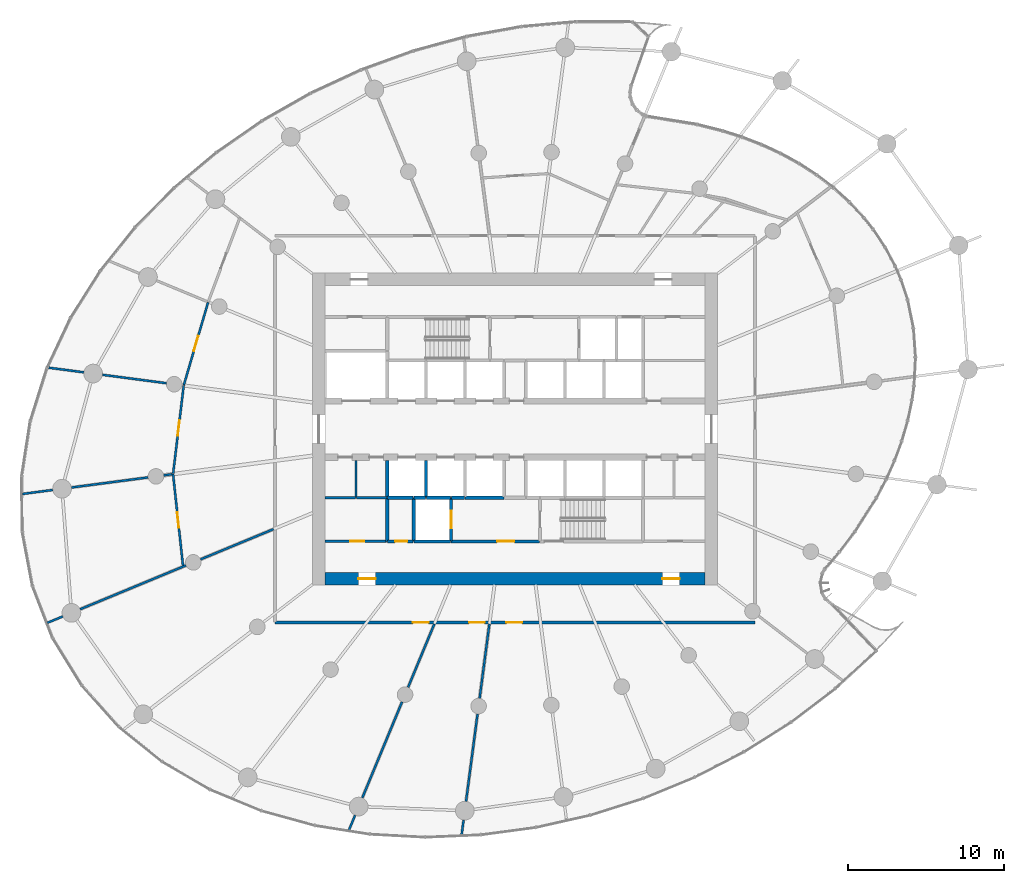
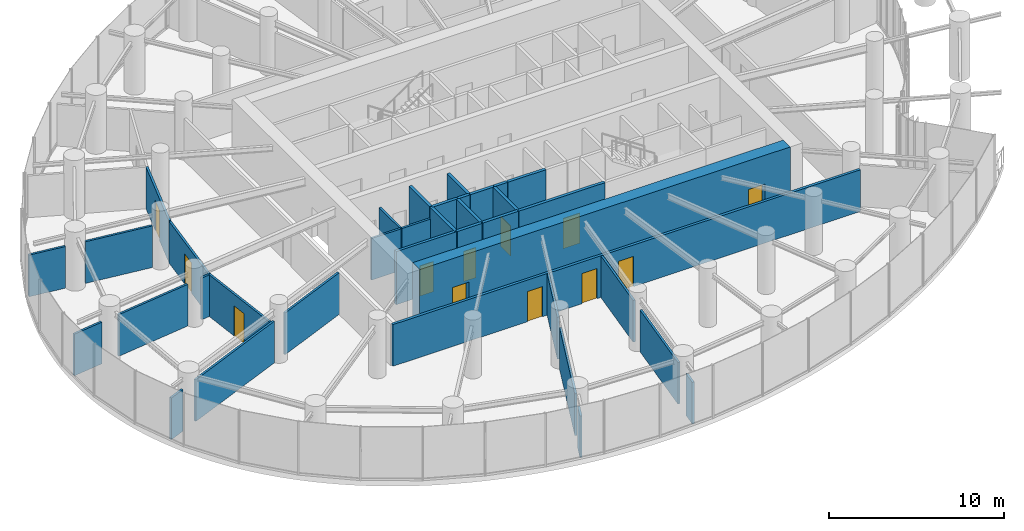
# One storey, part 14 of 21: 36 walls, 12 doors, 12 openings.
"""IFC4 building model written with IfcOpenShell, lengths in metres."""

from ifc_helpers import new_model, si_unit, direction, frame, frame_2d, origin, place, context, subcontext, project, spatial, rectangle, extrude, source, transform, mapped, material, layer, layer_set, type_object, element, fill, save


model = new_model("IFC4")

# Units and contexts
model_context = context("Model", 3, precision=1e-05, world=origin(), true_north=direction((0.0, 1.0)))
body_context = subcontext(model_context, "Body", "Model", "MODEL_VIEW")
ifc_project = project(units=[si_unit("LENGTHUNIT", "METRE"), si_unit("AREAUNIT", "SQUARE_METRE"), si_unit("VOLUMEUNIT", "CUBIC_METRE"), si_unit("PLANEANGLEUNIT", "RADIAN"), si_unit("MASSUNIT", "GRAM", prefix="KILO")], contexts=[model_context])

# Site, building, storey
site_placement = place(None, origin())
site = spatial("IfcSite", under=ifc_project, at=site_placement, CompositionType="ELEMENT")
building_placement = place(site_placement, origin())
building = spatial("IfcBuilding", under=site, at=building_placement, Name="Spindrift Exchange Tower", CompositionType="ELEMENT")
storey_placement = place(building_placement, frame((0.0, 0.0, 83.89990234375)))
storey = spatial("IfcBuildingStorey", under=building, at=storey_placement, Name="L19", CompositionType="ELEMENT", Elevation=83.89990234375)

# Wall, openings, doors
ifc_material_1 = material(Name="Concrete 65 MPa", Category="concrete")
ifc_layer_1 = layer(ifc_material_1, 0.800048828125)
ifc_layer_set_1 = layer_set([ifc_layer_1], Name="RC Core Wall 800 Concrete 65 MPa")
wall_type_1 = type_object("IfcWallType", Name="RC Core Wall 800 Concrete 65 MPa", PredefinedType="SHEAR", material=ifc_layer_set_1)
wall_1_placement = place(storey_placement, frame((39.800048828125, 38.39990234375, 0.0), z_axis=(0.0, 0.0, 1.0), x_axis=(1.0, 0.0, 0.0)))
wall_1 = element("IfcWall", 1, at=wall_1_placement, inside=storey, type_object=wall_type_1, Name="Core wall S L19", PredefinedType="SHEAR", context=body_context, shape_type="SweptSolid", body=[
    extrude(rectangle(XDim=24.39990234375, YDim=0.800048828125, at=frame_2d((12.199951171875, 0.0))), origin(), (0.0, 0.0, 1.0), 4.10009765625),
])
opening_1_placement = place(wall_1_placement, frame((21.64990234375, 0.0, 0.0)))
opening_1 = element("IfcOpeningElement", 2, at=opening_1_placement, cuts=wall_1, Name="Opening L19-D22", PredefinedType="OPENING", context=body_context, shape_type="SweptSolid", body=[
    extrude(rectangle(XDim=1.10009765625, YDim=2.10009765625, at=frame_2d((0.550048828125, 1.050048828125))), frame((0.0, 0.409912109375, 0.0), z_axis=(0.0, -1.0, 0.0), x_axis=(1.0, 0.0, 0.0)), (0.0, 0.0, 1.0), 0.820068359375),
])
opening_2_placement = place(wall_1_placement, frame((2.14990234375, 0.0, 0.0)))
opening_2 = element("IfcOpeningElement", 3, at=opening_2_placement, cuts=wall_1, Name="Opening L19-D23", PredefinedType="OPENING", context=body_context, shape_type="SweptSolid", body=[
    extrude(rectangle(XDim=1.10009765625, YDim=2.10009765625, at=frame_2d((0.550048828125, 1.050048828125))), frame((0.0, 0.409912109375, 0.0), z_axis=(0.0, -1.0, 0.0), x_axis=(1.0, 0.0, 0.0)), (0.0, 0.0, 1.0), 0.820068359375),
])
ifc_material_2 = material(Name="Steel fire door", Category="steel")
door_type_1 = type_object("IfcDoorType", Name="DR-STAIR-1100", OperationType="NOTDEFINED", PredefinedType="DOOR", material=ifc_material_2)
shared_shape_1 = source(origin(), body_context, "Body", "SweptSolid", [
    extrude(rectangle(XDim=1.10009765625, YDim=2.10009765625, at=frame_2d((0.550048828125, 1.050048828125))), frame((0.0, 0.02490234375, 0.0), z_axis=(0.0, -1.0, 0.0), x_axis=(1.0, 0.0, 0.0)), (0.0, 0.0, 1.0), 0.050048828125),
])
door_1_placement = place(opening_1_placement, origin())
door_1 = element("IfcDoor", 4, at=door_1_placement, inside=storey, type_object=door_type_1, Name="L19 Stair door 22", OperationType="SINGLE_SWING_RIGHT", OverallHeight=2.10009765625, OverallWidth=1.10009765625, PredefinedType="DOOR", context=body_context, shape_type="MappedRepresentation", body=[
    mapped(shared_shape_1, transform((0.0, 0.0, 0.0), scale=1.0)),
])
fill(opening_1, door_1)
door_2_placement = place(opening_2_placement, origin())
door_2 = element("IfcDoor", 5, at=door_2_placement, inside=storey, type_object=door_type_1, Name="L19 Stair door 23", OperationType="SINGLE_SWING_LEFT", OverallHeight=2.10009765625, OverallWidth=1.10009765625, PredefinedType="DOOR", context=body_context, shape_type="MappedRepresentation", body=[
    mapped(shared_shape_1, transform((0.0, 0.0, 0.0), scale=1.0)),
])
fill(opening_2, door_2)

# Wall, opening, door
ifc_material_3 = material(Name="Fire-rated plasterboard partition", Category="gypsum")
ifc_layer_2 = layer(ifc_material_3, 0.179931640625)
ifc_layer_set_2 = layer_set([ifc_layer_2], Name="W-CORR-180")
wall_type_2 = type_object("IfcWallType", Name="W-CORR-180", PredefinedType="PARTITIONING", material=ifc_layer_set_2)
wall_2_placement = place(storey_placement, frame((39.820068359375, 40.800048828125, 0.0), z_axis=(0.0, 0.0, 1.0), x_axis=(1.0, 0.0, 0.0)))
wall_2 = element("IfcWall", 6, at=wall_2_placement, inside=storey, type_object=wall_type_2, Name="L19 Partition wall 63", PredefinedType="PARTITIONING", context=body_context, shape_type="SweptSolid", body=[
    extrude(rectangle(XDim=3.949951171875, YDim=0.179931640625, at=frame_2d((1.97509765625, 0.0))), origin(), (0.0, 0.0, 1.0), 3.7001953125),
])
opening_3_placement = place(wall_2_placement, frame((1.60009765625, 0.0, 0.0)))
opening_3 = element("IfcOpeningElement", 7, at=opening_3_placement, cuts=wall_2, Name="Opening L19-D44", PredefinedType="OPENING", context=body_context, shape_type="SweptSolid", body=[
    extrude(rectangle(XDim=0.89990234375, YDim=2.10009765625, at=frame_2d((0.449951171875, 1.050048828125))), frame((0.0, 0.099853515625, 0.0), z_axis=(0.0, -1.0, 0.0), x_axis=(1.0, 0.0, 0.0)), (0.0, 0.0, 1.0), 0.199951171875),
])
ifc_material_4 = material(Name="Steel access door", Category="steel")
door_type_2 = type_object("IfcDoorType", Name="DR-RISER-900", OperationType="NOTDEFINED", PredefinedType="DOOR", material=ifc_material_4)
shared_shape_2 = source(origin(), body_context, "Body", "SweptSolid", [
    extrude(rectangle(XDim=0.89990234375, YDim=2.10009765625, at=frame_2d((0.449951171875, 1.050048828125))), frame((0.0, 0.02490234375, 0.0), z_axis=(0.0, -1.0, 0.0), x_axis=(1.0, 0.0, 0.0)), (0.0, 0.0, 1.0), 0.050048828125),
])
door_3_placement = place(opening_3_placement, origin())
door_3 = element("IfcDoor", 8, at=door_3_placement, inside=storey, type_object=door_type_2, Name="L19 Riser door 44", OperationType="SINGLE_SWING_RIGHT", OverallHeight=2.10009765625, OverallWidth=0.89990234375, PredefinedType="DOOR", context=body_context, shape_type="MappedRepresentation", body=[
    mapped(shared_shape_2, transform((0.0, 0.0, 0.0), scale=1.0)),
])
fill(opening_3, door_3)

# Walls
ifc_layer_3 = layer(ifc_material_3, 0.139892578125)
ifc_layer_set_3 = layer_set([ifc_layer_3], Name="W-PART-140")
wall_type_3 = type_object("IfcWallType", Name="W-PART-140", PredefinedType="PARTITIONING", material=ifc_layer_set_3)
wall_3_placement = place(storey_placement, frame((28.466064453125, 44.901611328125, 0.0), z_axis=(0.0, 0.0, 1.0), x_axis=(-0.991443414541, -0.130537181533, 0.0)))
element("IfcWall", 9, at=wall_3_placement, inside=storey, type_object=wall_type_3, Name="L19 Partition wall 77", PredefinedType="PARTITIONING", context=body_context, shape_type="SweptSolid", body=[
    extrude(rectangle(XDim=4.965576171875, YDim=0.139892578125, at=frame_2d((2.48291015625, 0.0))), origin(), (0.0, 0.0, 1.0), 2.900146484375),
])
wall_4_placement = place(storey_placement, frame((41.800048828125, 43.60009765625, 0.0), z_axis=(0.0, 0.0, 1.0), x_axis=(0.0, 1.0, 0.0)))
element("IfcWall", 10, at=wall_4_placement, inside=storey, type_object=wall_type_3, Name="L19 Partition wall 96", PredefinedType="PARTITIONING", context=body_context, shape_type="SweptSolid", body=[
    extrude(rectangle(XDim=2.389892578125, YDim=0.139892578125, at=frame_2d((1.19482421875, 0.0))), origin(), (0.0, 0.0, 1.0), 2.900146484375),
])
wall_5_placement = place(storey_placement, frame((43.77001953125, 43.60009765625, 0.0), z_axis=(0.0, 0.0, 1.0), x_axis=(-1.0, 0.0, 0.0)))
element("IfcWall", 11, at=wall_5_placement, inside=storey, type_object=wall_type_3, Name="L19 Partition wall 103", PredefinedType="PARTITIONING", context=body_context, shape_type="SweptSolid", body=[
    extrude(rectangle(XDim=1.93994140625, YDim=0.139892578125, at=frame_2d((0.969970703125, 0.0))), origin(), (0.0, 0.0, 1.0), 2.900146484375),
])
wall_6_placement = place(storey_placement, frame((41.77001953125, 43.60009765625, 0.0), z_axis=(0.0, 0.0, 1.0), x_axis=(-1.0, 0.0, 0.0)))
element("IfcWall", 12, at=wall_6_placement, inside=storey, type_object=wall_type_3, Name="L19 Partition wall 106", PredefinedType="PARTITIONING", context=body_context, shape_type="SweptSolid", body=[
    extrude(rectangle(XDim=1.949951171875, YDim=0.139892578125, at=frame_2d((0.97509765625, 0.0))), origin(), (0.0, 0.0, 1.0), 2.900146484375),
])
wall_7_placement = place(storey_placement, frame((22.344482421875, 44.095703125, 0.0), z_axis=(0.0, 0.0, 1.0), x_axis=(-0.991442855451, -0.130541427811, 0.0)))
element("IfcWall", 13, at=wall_7_placement, inside=storey, type_object=wall_type_3, Name="L19 Partition wall 107", PredefinedType="PARTITIONING", context=body_context, shape_type="SweptSolid", body=[
    extrude(rectangle(XDim=1.9619140625, YDim=0.139892578125, at=frame_2d((0.98095703125, 0.0))), origin(), (0.0, 0.0, 1.0), 2.900146484375),
])
wall_8_placement = place(storey_placement, frame((29.994140625, 45.102783203125, 0.0), z_axis=(0.0, 0.0, 1.0), x_axis=(-0.991482368905, -0.130240977229, 0.0)))
element("IfcWall", 14, at=wall_8_placement, inside=storey, type_object=wall_type_3, Name="L19 Partition wall 119", PredefinedType="PARTITIONING", context=body_context, shape_type="SweptSolid", body=[
    extrude(rectangle(XDim=0.532470703125, YDim=0.139892578125, at=frame_2d((0.26611328125, 0.0))), origin(), (0.0, 0.0, 1.0), 2.900146484375),
])
ifc_layer_4 = layer(ifc_material_3, 0.139892578125)
ifc_layer_set_4 = layer_set([ifc_layer_4], Name="W-PLANT-140")
wall_type_4 = type_object("IfcWallType", Name="W-PLANT-140", PredefinedType="PARTITIONING", material=ifc_layer_set_4)
wall_9_placement = place(storey_placement, frame((24.103515625, 36.44482421875, 0.0), z_axis=(0.0, 0.0, 1.0), x_axis=(0.923867037115, 0.382713597528, 0.0)))
element("IfcWall", 15, at=wall_9_placement, inside=storey, type_object=wall_type_4, Name="L19 Partition wall 65", PredefinedType="PARTITIONING", context=body_context, shape_type="SweptSolid", body=[
    extrude(rectangle(XDim=7.35009765625, YDim=0.139892578125, at=frame_2d((3.675048828125, 0.0))), origin(), (0.0, 0.0, 1.0), 2.900146484375),
])
wall_10_placement = place(storey_placement, frame((44.752197265625, 30.502197265625, 0.0), z_axis=(0.0, 0.0, 1.0), x_axis=(-0.382696989205, -0.923873916968, 0.0)))
element("IfcWall", 16, at=wall_10_placement, inside=storey, type_object=wall_type_4, Name="L19 Partition wall 67", PredefinedType="PARTITIONING", context=body_context, shape_type="SweptSolid", body=[
    extrude(rectangle(XDim=6.662841796875, YDim=0.139892578125, at=frame_2d((3.33154296875, 0.0))), origin(), (0.0, 0.0, 1.0), 2.900146484375),
])

# Wall, opening, door
wall_11_placement = place(storey_placement, frame((30.698486328125, 39.25244140625, 0.0), z_axis=(0.0, 0.0, 1.0), x_axis=(-0.107698733289, 0.99418357603, 0.0)))
wall_11 = element("IfcWall", 17, at=wall_11_placement, inside=storey, type_object=wall_type_4, Name="L19 Partition wall 68", PredefinedType="PARTITIONING", context=body_context, shape_type="SweptSolid", body=[
    extrude(rectangle(XDim=5.893798828125, YDim=0.139892578125, at=frame_2d((2.94677734375, 0.0))), origin(), (0.0, 0.0, 1.0), 2.900146484375),
])
opening_4_placement = place(wall_11_placement, frame((2.44384765625, 0.0, 0.0)))
opening_4 = element("IfcOpeningElement", 18, at=opening_4_placement, cuts=wall_11, Name="Opening L19-D38", PredefinedType="OPENING", context=body_context, shape_type="SweptSolid", body=[
    extrude(rectangle(XDim=1.0, YDim=2.10009765625, at=frame_2d((0.5, 1.050048828125))), frame((0.0, 0.079833984375, 0.0), z_axis=(0.0, -1.0, 0.0), x_axis=(1.0, 0.0, 0.0)), (0.0, 0.0, 1.0), 0.159912109375),
])
ifc_material_5 = material(Name="Timber-core fire door", Category="wood")
door_type_3 = type_object("IfcDoorType", Name="DR-ROOM-1000", OperationType="NOTDEFINED", PredefinedType="DOOR", material=ifc_material_5)
shared_shape_3 = source(origin(), body_context, "Body", "SweptSolid", [
    extrude(rectangle(XDim=1.0, YDim=2.10009765625, at=frame_2d((0.5, 1.050048828125))), frame((0.0, 0.02490234375, 0.0), z_axis=(0.0, -1.0, 0.0), x_axis=(1.0, 0.0, 0.0)), (0.0, 0.0, 1.0), 0.050048828125),
])
door_4_placement = place(opening_4_placement, origin())
door_4 = element("IfcDoor", 19, at=door_4_placement, inside=storey, type_object=door_type_3, Name="L19 Door 38", OperationType="SINGLE_SWING_RIGHT", OverallHeight=2.10009765625, OverallWidth=1.0, PredefinedType="DOOR", context=body_context, shape_type="MappedRepresentation", body=[
    mapped(shared_shape_3, transform((0.0, 0.0, 0.0), scale=1.0)),
])
fill(opening_4, door_4)

wall_12_placement = place(storey_placement, frame((30.067138671875, 45.141845703125, 0.0), z_axis=(0.0, 0.0, 1.0), x_axis=(0.119265199963, 0.992862433612, 0.0)))
wall_12 = element("IfcWall", 20, at=wall_12_placement, inside=storey, type_object=wall_type_4, Name="L19 Partition wall 70", PredefinedType="PARTITIONING", context=body_context, shape_type="SweptSolid", body=[
    extrude(rectangle(XDim=5.697021484375, YDim=0.139892578125, at=frame_2d((2.8486328125, 0.0))), origin(), (0.0, 0.0, 1.0), 2.900146484375),
])
opening_5_placement = place(wall_12_placement, frame((2.447021484375, 0.0, 0.0)))
opening_5 = element("IfcOpeningElement", 21, at=opening_5_placement, cuts=wall_12, Name="Opening L19-D37", PredefinedType="OPENING", context=body_context, shape_type="SweptSolid", body=[
    extrude(rectangle(XDim=1.0, YDim=2.10009765625, at=frame_2d((0.5, 1.050048828125))), frame((0.0, 0.079833984375, 0.0), z_axis=(0.0, -1.0, 0.0), x_axis=(1.0, 0.0, 0.0)), (0.0, 0.0, 1.0), 0.159912109375),
])
door_5_placement = place(opening_5_placement, origin())
door_5 = element("IfcDoor", 22, at=door_5_placement, inside=storey, type_object=door_type_3, Name="L19 Door 37", OperationType="SINGLE_SWING_LEFT", OverallHeight=2.10009765625, OverallWidth=1.0, PredefinedType="DOOR", context=body_context, shape_type="MappedRepresentation", body=[
    mapped(shared_shape_3, transform((0.0, 0.0, 0.0), scale=1.0)),
])
fill(opening_5, door_5)

# Wall
wall_13_placement = place(storey_placement, frame((49.594970703125, 29.732666015625, 0.0), z_axis=(0.0, 0.0, 1.0), x_axis=(-0.130510314557, -0.991446951578, 0.0)))
element("IfcWall", 23, at=wall_13_placement, inside=storey, type_object=wall_type_4, Name="L19 Partition wall 71", PredefinedType="PARTITIONING", context=body_context, shape_type="SweptSolid", body=[
    extrude(rectangle(XDim=5.65869140625, YDim=0.139892578125, at=frame_2d((2.829345703125, 0.0))), origin(), (0.0, 0.0, 1.0), 2.900146484375),
])

# Wall, opening, door
wall_14_placement = place(storey_placement, frame((30.7548828125, 50.826904296875, 0.0), z_axis=(0.0, 0.0, 1.0), x_axis=(0.281349777509, 0.959605284842, 0.0)))
wall_14 = element("IfcWall", 24, at=wall_14_placement, inside=storey, type_object=wall_type_4, Name="L19 Partition wall 73", PredefinedType="PARTITIONING", context=body_context, shape_type="SweptSolid", body=[
    extrude(rectangle(XDim=5.5205078125, YDim=0.139892578125, at=frame_2d((2.76025390625, 0.0))), origin(), (0.0, 0.0, 1.0), 2.900146484375),
])
opening_6_placement = place(wall_14_placement, frame((2.2705078125, 0.0, 0.0)))
opening_6 = element("IfcOpeningElement", 25, at=opening_6_placement, cuts=wall_14, Name="Opening L19-D36", PredefinedType="OPENING", context=body_context, shape_type="SweptSolid", body=[
    extrude(rectangle(XDim=1.0, YDim=2.10009765625, at=frame_2d((0.5, 1.050048828125))), frame((0.0, 0.079833984375, 0.0), z_axis=(0.0, -1.0, 0.0), x_axis=(1.0, 0.0, 0.0)), (0.0, 0.0, 1.0), 0.159912109375),
])
door_6_placement = place(opening_6_placement, origin())
door_6 = element("IfcDoor", 26, at=door_6_placement, inside=storey, type_object=door_type_3, Name="L19 Door 36", OperationType="SINGLE_SWING_RIGHT", OverallHeight=2.10009765625, OverallWidth=1.0, PredefinedType="DOOR", context=body_context, shape_type="MappedRepresentation", body=[
    mapped(shared_shape_3, transform((0.0, 0.0, 0.0), scale=1.0)),
])
fill(opening_6, door_6)

# Walls
wall_15_placement = place(storey_placement, frame((31.827392578125, 39.644287109375, 0.0), z_axis=(0.0, 0.0, 1.0), x_axis=(0.923890025086, 0.382658100067, 0.0)))
element("IfcWall", 27, at=wall_15_placement, inside=storey, type_object=wall_type_4, Name="L19 Partition wall 76", PredefinedType="PARTITIONING", context=body_context, shape_type="SweptSolid", body=[
    extrude(rectangle(XDim=5.068359375, YDim=0.139892578125, at=frame_2d((2.5341796875, 0.0))), origin(), (0.0, 0.0, 1.0), 2.900146484375),
])
wall_16_placement = place(storey_placement, frame((50.355712890625, 35.510009765625, 0.0), z_axis=(0.0, 0.0, 1.0), x_axis=(-0.130523979823, -0.991445152639, 0.0)))
element("IfcWall", 28, at=wall_16_placement, inside=storey, type_object=wall_type_4, Name="L19 Partition wall 79", PredefinedType="PARTITIONING", context=body_context, shape_type="SweptSolid", body=[
    extrude(rectangle(XDim=4.818359375, YDim=0.139892578125, at=frame_2d((2.4091796875, 0.0))), origin(), (0.0, 0.0, 1.0), 2.900146484375),
])
wall_17_placement = place(storey_placement, frame((46.826416015625, 35.510009765625, 0.0), z_axis=(0.0, 0.0, 1.0), x_axis=(-0.382672831764, -0.923883923353, 0.0)))
element("IfcWall", 29, at=wall_17_placement, inside=storey, type_object=wall_type_4, Name="L19 Partition wall 82", PredefinedType="PARTITIONING", context=body_context, shape_type="SweptSolid", body=[
    extrude(rectangle(XDim=4.410400390625, YDim=0.139892578125, at=frame_2d((2.205078125, 0.0))), origin(), (0.0, 0.0, 1.0), 2.900146484375),
])
wall_18_placement = place(storey_placement, frame((29.63671875, 50.944091796875, 0.0), z_axis=(0.0, 0.0, 1.0), x_axis=(-0.991445054296, 0.130524726824, 0.0)))
element("IfcWall", 30, at=wall_18_placement, inside=storey, type_object=wall_type_4, Name="L19 Partition wall 85", PredefinedType="PARTITIONING", context=body_context, shape_type="SweptSolid", body=[
    extrude(rectangle(XDim=4.137451171875, YDim=0.139892578125, at=frame_2d((2.06884765625, 0.0))), origin(), (0.0, 0.0, 1.0), 2.900146484375),
])
wall_19_placement = place(storey_placement, frame((24.336181640625, 51.64208984375, 0.0), z_axis=(0.0, 0.0, 1.0), x_axis=(-0.991448788453, 0.130496359624, 0.0)))
element("IfcWall", 31, at=wall_19_placement, inside=storey, type_object=wall_type_4, Name="L19 Partition wall 98", PredefinedType="PARTITIONING", context=body_context, shape_type="SweptSolid", body=[
    extrude(rectangle(XDim=2.263671875, YDim=0.139892578125, at=frame_2d((1.1318359375, 0.0))), origin(), (0.0, 0.0, 1.0), 2.900146484375),
])
wall_20_placement = place(storey_placement, frame((22.985595703125, 35.981689453125, 0.0), z_axis=(0.0, 0.0, 1.0), x_axis=(-0.923961481624, -0.382485529758, 0.0)))
element("IfcWall", 32, at=wall_20_placement, inside=storey, type_object=wall_type_4, Name="L19 Partition wall 111", PredefinedType="PARTITIONING", context=body_context, shape_type="SweptSolid", body=[
    extrude(rectangle(XDim=1.074951171875, YDim=0.139892578125, at=frame_2d((0.53759765625, 0.0))), origin(), (0.0, 0.0, 1.0), 2.900146484375),
])
wall_21_placement = place(storey_placement, frame((41.739501953125, 23.22900390625, 0.0), z_axis=(0.0, 0.0, 1.0), x_axis=(-0.382620326534, -0.923905669278, 0.0)))
element("IfcWall", 33, at=wall_21_placement, inside=storey, type_object=wall_type_4, Name="L19 Partition wall 112", PredefinedType="PARTITIONING", context=body_context, shape_type="SweptSolid", body=[
    extrude(rectangle(XDim=1.01708984375, YDim=0.139892578125, at=frame_2d((0.508544921875, 0.0))), origin(), (0.0, 0.0, 1.0), 2.900146484375),
])
wall_22_placement = place(storey_placement, frame((48.69873046875, 22.924072265625, 0.0), z_axis=(0.0, 0.0, 1.0), x_axis=(-0.130494858673, -0.99144898601, 0.0)))
element("IfcWall", 34, at=wall_22_placement, inside=storey, type_object=wall_type_4, Name="L19 Partition wall 113", PredefinedType="PARTITIONING", context=body_context, shape_type="SweptSolid", body=[
    extrude(rectangle(XDim=0.939208984375, YDim=0.139892578125, at=frame_2d((0.4697265625, 0.0))), origin(), (0.0, 0.0, 1.0), 2.900146484375),
])

# Wall, openings, doors
ifc_layer_5 = layer(ifc_material_3, 0.179931640625)
ifc_layer_set_5 = layer_set([ifc_layer_5], Name="W-PLANT-180")
wall_type_5 = type_object("IfcWallType", Name="W-PLANT-180", PredefinedType="PARTITIONING", material=ifc_layer_set_5)
wall_23_placement = place(storey_placement, frame((67.39990234375, 35.60009765625, 0.0), z_axis=(0.0, 0.0, 1.0), x_axis=(-1.0, 0.0, 0.0)))
wall_23 = element("IfcWall", 35, at=wall_23_placement, inside=storey, type_object=wall_type_5, Name="L19 Partition wall 57", PredefinedType="PARTITIONING", context=body_context, shape_type="SweptSolid", body=[
    extrude(rectangle(XDim=30.7998046875, YDim=0.179931640625, at=frame_2d((15.39990234375, 0.0))), origin(), (0.0, 0.0, 1.0), 2.900146484375),
])
opening_7_placement = place(wall_23_placement, frame((20.949951171875, 0.0, 0.0)))
opening_7 = element("IfcOpeningElement", 36, at=opening_7_placement, cuts=wall_23, Name="Opening L19-D39", PredefinedType="OPENING", context=body_context, shape_type="SweptSolid", body=[
    extrude(rectangle(XDim=1.0, YDim=2.10009765625, at=frame_2d((0.5, 1.050048828125))), frame((0.0, 0.099853515625, 0.0), z_axis=(0.0, -1.0, 0.0), x_axis=(1.0, 0.0, 0.0)), (0.0, 0.0, 1.0), 0.199951171875),
])
opening_8_placement = place(wall_23_placement, frame((17.35009765625, 0.0, 0.0)))
opening_8 = element("IfcOpeningElement", 37, at=opening_8_placement, cuts=wall_23, Name="Opening L19-D40", PredefinedType="OPENING", context=body_context, shape_type="SweptSolid", body=[
    extrude(rectangle(XDim=1.0, YDim=2.10009765625, at=frame_2d((0.5, 1.050048828125))), frame((0.0, 0.099853515625, 0.0), z_axis=(0.0, -1.0, 0.0), x_axis=(1.0, 0.0, 0.0)), (0.0, 0.0, 1.0), 0.199951171875),
])
opening_9_placement = place(wall_23_placement, frame((14.949951171875, 0.0, 0.0)))
opening_9 = element("IfcOpeningElement", 38, at=opening_9_placement, cuts=wall_23, Name="Opening L19-D41", PredefinedType="OPENING", context=body_context, shape_type="SweptSolid", body=[
    extrude(rectangle(XDim=1.0, YDim=2.10009765625, at=frame_2d((0.5, 1.050048828125))), frame((0.0, 0.099853515625, 0.0), z_axis=(0.0, -1.0, 0.0), x_axis=(1.0, 0.0, 0.0)), (0.0, 0.0, 1.0), 0.199951171875),
])
door_7_placement = place(opening_7_placement, origin())
door_7 = element("IfcDoor", 39, at=door_7_placement, inside=storey, type_object=door_type_3, Name="L19 Door 39", OperationType="SINGLE_SWING_LEFT", OverallHeight=2.10009765625, OverallWidth=1.0, PredefinedType="DOOR", context=body_context, shape_type="MappedRepresentation", body=[
    mapped(shared_shape_3, transform((0.0, 0.0, 0.0), scale=1.0)),
])
fill(opening_7, door_7)
door_8_placement = place(opening_8_placement, origin())
door_8 = element("IfcDoor", 40, at=door_8_placement, inside=storey, type_object=door_type_3, Name="L19 Door 40", OperationType="SINGLE_SWING_RIGHT", OverallHeight=2.10009765625, OverallWidth=1.0, PredefinedType="DOOR", context=body_context, shape_type="MappedRepresentation", body=[
    mapped(shared_shape_3, transform((0.0, 0.0, 0.0), scale=1.0)),
])
fill(opening_8, door_8)
door_9_placement = place(opening_9_placement, origin())
door_9 = element("IfcDoor", 41, at=door_9_placement, inside=storey, type_object=door_type_3, Name="L19 Door 41", OperationType="SINGLE_SWING_LEFT", OverallHeight=2.10009765625, OverallWidth=1.0, PredefinedType="DOOR", context=body_context, shape_type="MappedRepresentation", body=[
    mapped(shared_shape_3, transform((0.0, 0.0, 0.0), scale=1.0)),
])
fill(opening_9, door_9)

# Walls
ifc_material_6 = material(Name="Concrete 40 MPa", Category="concrete")
ifc_layer_6 = layer(ifc_material_6, 0.199951171875)
ifc_layer_set_6 = layer_set([ifc_layer_6], Name="W-SHAFT-200")
wall_type_6 = type_object("IfcWallType", Name="W-SHAFT-200", PredefinedType="SOLIDWALL", material=ifc_layer_set_6)
for number, where, z_axis, x_axis, name in (
    (42, (43.800048828125, 43.60009765625, 0.0), (0.0, 0.0, 1.0), (0.0, -1.0, 0.0), "L19 Shaft wall 6"),
    (43, (45.5, 43.60009765625, 0.0), (0.0, 0.0, 1.0), (0.0, -1.0, 0.0), "L19 Shaft wall 7"),
):
    element("IfcWall", number, at=place(storey_placement, frame(where, z_axis=z_axis, x_axis=x_axis)), inside=storey, type_object=wall_type_6, Name=name, PredefinedType="SOLIDWALL", context=body_context, shape_type="SweptSolid", body=[
        extrude(rectangle(XDim=2.800048828125, YDim=0.199951171875, at=frame_2d((1.39990234375, 0.0))), origin(), (0.0, 0.0, 1.0), 3.7001953125),
    ])

# Wall, opening, door
wall_24_placement = place(storey_placement, frame((47.89990234375, 40.830078125, 0.0), z_axis=(0.0, 0.0, 1.0), x_axis=(0.0, 1.0, 0.0)))
wall_24 = element("IfcWall", 44, at=wall_24_placement, inside=storey, type_object=wall_type_6, Name="L19 Shaft wall 8", PredefinedType="SOLIDWALL", context=body_context, shape_type="SweptSolid", body=[
    extrude(rectangle(XDim=2.77001953125, YDim=0.199951171875, at=frame_2d((1.385009765625, 0.0))), origin(), (0.0, 0.0, 1.0), 3.7001953125),
])
opening_10_placement = place(wall_24_placement, frame((0.820068359375, 0.0, 0.0)))
opening_10 = element("IfcOpeningElement", 45, at=opening_10_placement, cuts=wall_24, Name="Opening L19-D10", PredefinedType="OPENING", context=body_context, shape_type="SweptSolid", body=[
    extrude(rectangle(XDim=1.10009765625, YDim=2.10009765625, at=frame_2d((0.550048828125, 1.050048828125))), frame((0.0, 0.10986328125, 0.0), z_axis=(0.0, -1.0, 0.0), x_axis=(1.0, 0.0, 0.0)), (0.0, 0.0, 1.0), 0.219970703125),
])
ifc_material_7 = material(Name="Stainless steel landing door", Category="steel")
door_type_4 = type_object("IfcDoorType", Name="DR-LANDING-1100-SL", OperationType="DOUBLE_DOOR_SLIDING", PredefinedType="USERDEFINED", material=ifc_material_7)
shared_shape_4 = source(origin(), body_context, "Body", "SweptSolid", [
    extrude(rectangle(XDim=1.10009765625, YDim=2.10009765625, at=frame_2d((0.550048828125, 1.050048828125))), frame((0.0, 0.02490234375, 0.0), z_axis=(0.0, -1.0, 0.0), x_axis=(1.0, 0.0, 0.0)), (0.0, 0.0, 1.0), 0.050048828125),
])
door_10_placement = place(opening_10_placement, origin())
door_10 = element("IfcDoor", 46, at=door_10_placement, inside=storey, type_object=door_type_4, Name="L19 Lift landing door 10", ObjectType="LANDING DOOR", OperationType="DOUBLE_DOOR_SLIDING", OverallHeight=2.10009765625, OverallWidth=1.10009765625, PredefinedType="USERDEFINED", context=body_context, shape_type="MappedRepresentation", body=[
    mapped(shared_shape_4, transform((0.0, 0.0, 0.0), scale=1.0)),
])
fill(opening_10, door_10)

# Walls
wall_25_placement = place(storey_placement, frame((48.800048828125, 43.60009765625, 0.0), z_axis=(0.0, 0.0, 1.0), x_axis=(1.0, 0.0, 0.0)))
element("IfcWall", 47, at=wall_25_placement, inside=storey, type_object=wall_type_6, Name="L19 Shaft wall 17", PredefinedType="SOLIDWALL", context=body_context, shape_type="SweptSolid", body=[
    extrude(rectangle(XDim=2.5, YDim=0.199951171875, at=frame_2d((1.25, 0.0))), origin(), (0.0, 0.0, 1.0), 3.7001953125),
])
wall_26_placement = place(storey_placement, frame((45.530029296875, 40.800048828125, 0.0), z_axis=(0.0, 0.0, 1.0), x_axis=(1.0, 0.0, 0.0)))
element("IfcWall", 48, at=wall_26_placement, inside=storey, type_object=wall_type_6, Name="L19 Shaft wall 21", PredefinedType="SOLIDWALL", context=body_context, shape_type="SweptSolid", body=[
    extrude(rectangle(XDim=2.340087890625, YDim=0.199951171875, at=frame_2d((1.169921875, 0.0))), origin(), (0.0, 0.0, 1.0), 3.7001953125),
])
wall_27_placement = place(storey_placement, frame((43.800048828125, 45.989990234375, 0.0), z_axis=(0.0, 0.0, 1.0), x_axis=(0.0, -1.0, 0.0)))
element("IfcWall", 49, at=wall_27_placement, inside=storey, type_object=wall_type_6, Name="L19 Shaft wall 23", PredefinedType="SOLIDWALL", context=body_context, shape_type="SweptSolid", body=[
    extrude(rectangle(XDim=2.360107421875, YDim=0.199951171875, at=frame_2d((1.18017578125, 0.0))), origin(), (0.0, 0.0, 1.0), 3.7001953125),
])
wall_28_placement = place(storey_placement, frame((46.300048828125, 43.60009765625, 0.0), z_axis=(0.0, 0.0, 1.0), x_axis=(0.0, 1.0, 0.0)))
element("IfcWall", 50, at=wall_28_placement, inside=storey, type_object=wall_type_6, Name="L19 Shaft wall 25", PredefinedType="SOLIDWALL", context=body_context, shape_type="SweptSolid", body=[
    extrude(rectangle(XDim=2.389892578125, YDim=0.199951171875, at=frame_2d((1.19482421875, 0.0))), origin(), (0.0, 0.0, 1.0), 3.7001953125),
])
wall_29_placement = place(storey_placement, frame((43.830078125, 43.60009765625, 0.0), z_axis=(0.0, 0.0, 1.0), x_axis=(1.0, 0.0, 0.0)))
element("IfcWall", 51, at=wall_29_placement, inside=storey, type_object=wall_type_6, Name="L19 Shaft wall 40", PredefinedType="SOLIDWALL", context=body_context, shape_type="SweptSolid", body=[
    extrude(rectangle(XDim=1.639892578125, YDim=0.199951171875, at=frame_2d((0.81982421875, 0.0))), origin(), (0.0, 0.0, 1.0), 3.7001953125),
])

# Wall, opening, door
wall_30_placement = place(storey_placement, frame((43.830078125, 40.800048828125, 0.0), z_axis=(0.0, 0.0, 1.0), x_axis=(1.0, 0.0, 0.0)))
wall_30 = element("IfcWall", 52, at=wall_30_placement, inside=storey, type_object=wall_type_6, Name="L19 Shaft wall 41", PredefinedType="SOLIDWALL", context=body_context, shape_type="SweptSolid", body=[
    extrude(rectangle(XDim=1.639892578125, YDim=0.199951171875, at=frame_2d((0.81982421875, 0.0))), origin(), (0.0, 0.0, 1.0), 3.7001953125),
])
opening_11_placement = place(wall_30_placement, frame((0.469970703125, 0.0, 0.0)))
opening_11 = element("IfcOpeningElement", 53, at=opening_11_placement, cuts=wall_30, Name="Opening L19-D19", PredefinedType="OPENING", context=body_context, shape_type="SweptSolid", body=[
    extrude(rectangle(XDim=0.800048828125, YDim=2.10009765625, at=frame_2d((0.39990234375, 1.050048828125))), frame((0.0, 0.10986328125, 0.0), z_axis=(0.0, -1.0, 0.0), x_axis=(1.0, 0.0, 0.0)), (0.0, 0.0, 1.0), 0.219970703125),
])
door_type_5 = type_object("IfcDoorType", Name="DR-RISER-800", OperationType="NOTDEFINED", PredefinedType="DOOR", material=ifc_material_4)
shared_shape_5 = source(origin(), body_context, "Body", "SweptSolid", [
    extrude(rectangle(XDim=0.800048828125, YDim=2.10009765625, at=frame_2d((0.39990234375, 1.050048828125))), frame((0.0, 0.02490234375, 0.0), z_axis=(0.0, -1.0, 0.0), x_axis=(1.0, 0.0, 0.0)), (0.0, 0.0, 1.0), 0.050048828125),
])
door_11_placement = place(opening_11_placement, origin())
door_11 = element("IfcDoor", 54, at=door_11_placement, inside=storey, type_object=door_type_5, Name="L19 Riser door 19", OperationType="SINGLE_SWING_LEFT", OverallHeight=2.10009765625, OverallWidth=0.800048828125, PredefinedType="DOOR", context=body_context, shape_type="MappedRepresentation", body=[
    mapped(shared_shape_5, transform((0.0, 0.0, 0.0), scale=1.0)),
])
fill(opening_11, door_11)

# Walls
wall_31_placement = place(storey_placement, frame((46.330078125, 43.60009765625, 0.0), z_axis=(0.0, 0.0, 1.0), x_axis=(1.0, 0.0, 0.0)))
element("IfcWall", 55, at=wall_31_placement, inside=storey, type_object=wall_type_6, Name="L19 Shaft wall 44", PredefinedType="SOLIDWALL", context=body_context, shape_type="SweptSolid", body=[
    extrude(rectangle(XDim=1.5400390625, YDim=0.199951171875, at=frame_2d((0.77001953125, 0.0))), origin(), (0.0, 0.0, 1.0), 3.7001953125),
])
wall_32_placement = place(storey_placement, frame((47.929931640625, 43.60009765625, 0.0), z_axis=(0.0, 0.0, 1.0), x_axis=(1.0, 0.0, 0.0)))
element("IfcWall", 56, at=wall_32_placement, inside=storey, type_object=wall_type_6, Name="L19 Shaft wall 50", PredefinedType="SOLIDWALL", context=body_context, shape_type="SweptSolid", body=[
    extrude(rectangle(XDim=0.840087890625, YDim=0.199951171875, at=frame_2d((0.419921875, 0.0))), origin(), (0.0, 0.0, 1.0), 3.7001953125),
])
wall_33_placement = place(storey_placement, frame((45.530029296875, 43.60009765625, 0.0), z_axis=(0.0, 0.0, 1.0), x_axis=(1.0, 0.0, 0.0)))
element("IfcWall", 57, at=wall_33_placement, inside=storey, type_object=wall_type_6, Name="L19 Shaft wall 54", PredefinedType="SOLIDWALL", context=body_context, shape_type="SweptSolid", body=[
    extrude(rectangle(XDim=0.739990234375, YDim=0.199951171875, at=frame_2d((0.3701171875, 0.0))), origin(), (0.0, 0.0, 1.0), 3.7001953125),
])

# Wall, opening, door
ifc_layer_7 = layer(ifc_material_6, 0.199951171875)
ifc_layer_set_7 = layer_set([ifc_layer_7], Name="W-SHAFT-200-LB")
wall_type_7 = type_object("IfcWallType", Name="W-SHAFT-200-LB", PredefinedType="SOLIDWALL", material=ifc_layer_set_7)
wall_34_placement = place(storey_placement, frame((47.89990234375, 40.800048828125, 0.0), z_axis=(0.0, 0.0, 1.0), x_axis=(1.0, 0.0, 0.0)))
wall_34 = element("IfcWall", 58, at=wall_34_placement, inside=storey, type_object=wall_type_7, Name="L19 Shaft wall 3", PredefinedType="SOLIDWALL", context=body_context, shape_type="SweptSolid", body=[
    extrude(rectangle(XDim=5.670166015625, YDim=0.199951171875, at=frame_2d((2.8349609375, 0.0))), origin(), (0.0, 0.0, 1.0), 3.7001953125),
])
opening_12_placement = place(wall_34_placement, frame((2.949951171875, 0.0, 0.0)))
opening_12 = element("IfcOpeningElement", 59, at=opening_12_placement, cuts=wall_34, Name="Opening L19-D18", PredefinedType="OPENING", context=body_context, shape_type="SweptSolid", body=[
    extrude(rectangle(XDim=1.10009765625, YDim=2.10009765625, at=frame_2d((0.550048828125, 1.050048828125))), frame((0.0, 0.10986328125, 0.0), z_axis=(0.0, -1.0, 0.0), x_axis=(1.0, 0.0, 0.0)), (0.0, 0.0, 1.0), 0.219970703125),
])
door_type_6 = type_object("IfcDoorType", Name="DR-LOBBY-1100", OperationType="NOTDEFINED", PredefinedType="DOOR", material=ifc_material_5)
shared_shape_6 = source(origin(), body_context, "Body", "SweptSolid", [
    extrude(rectangle(XDim=1.10009765625, YDim=2.10009765625, at=frame_2d((0.550048828125, 1.050048828125))), frame((0.0, 0.02490234375, 0.0), z_axis=(0.0, -1.0, 0.0), x_axis=(1.0, 0.0, 0.0)), (0.0, 0.0, 1.0), 0.050048828125),
])
door_12_placement = place(opening_12_placement, origin())
door_12 = element("IfcDoor", 60, at=door_12_placement, inside=storey, type_object=door_type_6, Name="L19 Lobby door 18", OperationType="SINGLE_SWING_RIGHT", OverallHeight=2.10009765625, OverallWidth=1.10009765625, PredefinedType="DOOR", context=body_context, shape_type="MappedRepresentation", body=[
    mapped(shared_shape_6, transform((0.0, 0.0, 0.0), scale=1.0)),
])
fill(opening_12, door_12)

save(model, "model.ifc")
